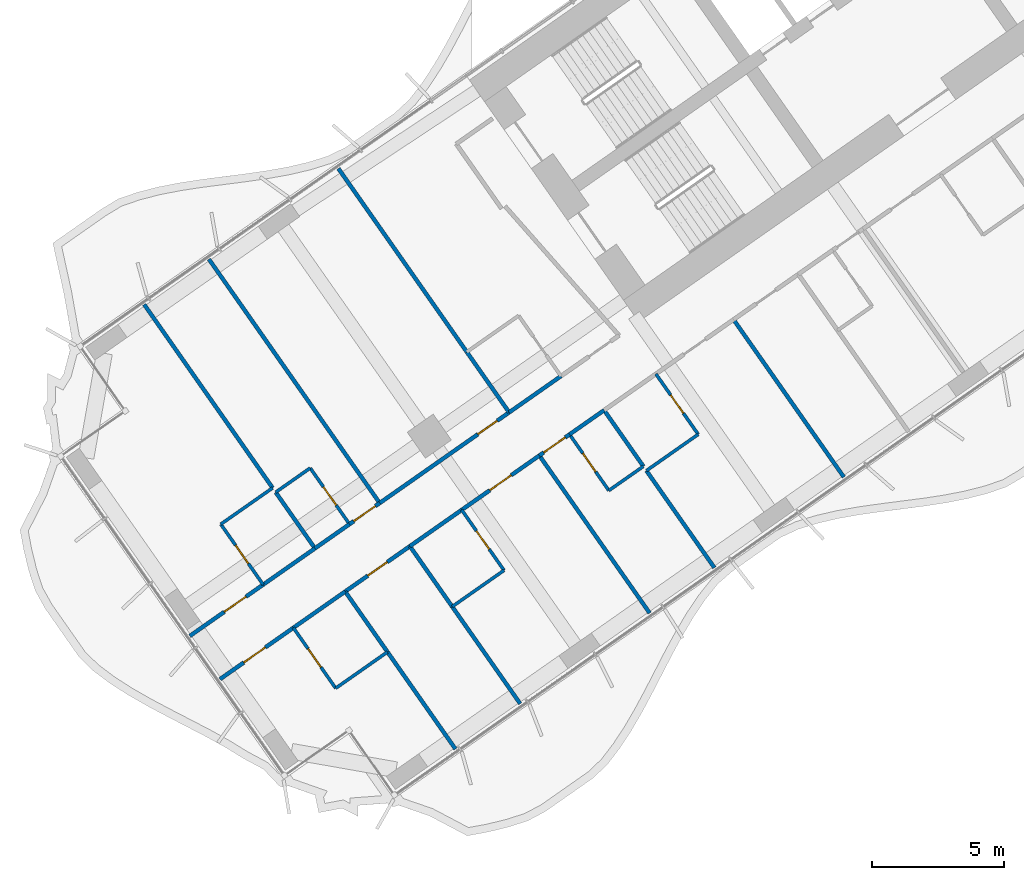
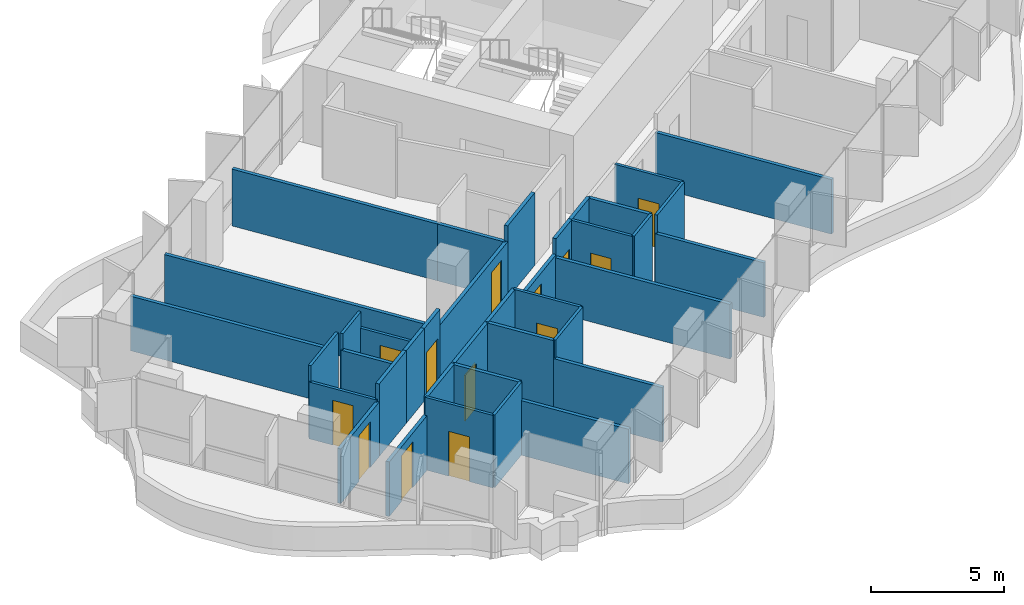
# One storey, part 13 of 25: 38 walls, 13 doors, 13 openings.
"""IFC4 building model written with IfcOpenShell, lengths in metres."""

from ifc_helpers import new_model, si_unit, direction, frame, frame_2d, origin, place, context, subcontext, project, spatial, rectangle, extrude, material, layer, layer_set, type_object, element, fill, save


model = new_model("IFC4")

# Units and contexts
model_context = context("Model", 3, precision=1e-05, world=origin(), true_north=direction((0.0, 1.0)))
body_context = subcontext(model_context, "Body", "Model", "MODEL_VIEW")
ifc_project = project(units=[si_unit("LENGTHUNIT", "METRE"), si_unit("AREAUNIT", "SQUARE_METRE"), si_unit("VOLUMEUNIT", "CUBIC_METRE"), si_unit("PLANEANGLEUNIT", "RADIAN"), si_unit("MASSUNIT", "GRAM", prefix="KILO")], contexts=[model_context])

# Site, building, storey
site_placement = place(None, origin())
site = spatial("IfcSite", under=ifc_project, at=site_placement, CompositionType="ELEMENT")
building_placement = place(site_placement, origin())
building = spatial("IfcBuilding", under=site, at=building_placement, Name="Tel Ilan Convention Tower", CompositionType="ELEMENT")
storey_placement = place(building_placement, frame((0.0, 0.0, 58.10009765625)))
storey = spatial("IfcBuildingStorey", under=building, at=storey_placement, Name="L09", CompositionType="ELEMENT", Elevation=58.10009765625)

# Wall
ifc_material_1 = material(Name="Plasterboard on Steel Studs", Category="steel")
ifc_layer_1 = layer(ifc_material_1, 0.14990234375)
ifc_layer_set_1 = layer_set([ifc_layer_1], Name="Fire-rated Partition 150 EI 60")
wall_type_1 = type_object("IfcWallType", Name="Fire-rated Partition 150 EI 60", PredefinedType="PARTITIONING", material=ifc_layer_set_1)
wall_1_placement = place(storey_placement, frame((-26.460205078125, -19.748291015625, 0.0), z_axis=(0.0, 0.0, 1.0), x_axis=(0.819179439794, 0.573537309527, 0.0)))
element("IfcWall", 1, at=wall_1_placement, inside=storey, type_object=wall_type_1, Name="Partition 029", PredefinedType="PARTITIONING", context=body_context, shape_type="SweptSolid", body=[
    extrude(rectangle(XDim=2.404296875, YDim=0.14990234375, at=frame_2d((1.2021484375, 0.0))), origin(), (0.0, 0.0, 1.0), 3.31982421875),
])

# Wall, opening, door
wall_2_placement = place(storey_placement, frame((-31.375, -23.189697265625, 0.0), z_axis=(0.0, 0.0, 1.0), x_axis=(0.819165052243, 0.573557858619, 0.0)))
wall_2 = element("IfcWall", 2, at=wall_2_placement, inside=storey, type_object=wall_type_1, Name="Partition 030", PredefinedType="PARTITIONING", context=body_context, shape_type="SweptSolid", body=[
    extrude(rectangle(XDim=6.00390625, YDim=0.14990234375, at=frame_2d((3.001953125, 0.0))), origin(), (0.0, 0.0, 1.0), 2.599853515625),
])
opening_1_placement = place(wall_2_placement, frame((4.552001953125, 0.0, 0.0)))
opening_1 = element("IfcOpeningElement", 3, at=opening_1_placement, cuts=wall_2, Name="Opening L08-019", PredefinedType="OPENING", context=body_context, shape_type="SweptSolid", body=[
    extrude(rectangle(XDim=0.89990234375, YDim=2.10009765625, at=frame_2d((0.449951171875, 1.050048828125))), frame((0.0, 0.0849609375, 0.0), z_axis=(0.0, -1.0, 0.0), x_axis=(1.0, 0.0, 0.0)), (0.0, 0.0, 1.0), 0.169921875),
])
ifc_material_2 = material(Name="Timber Door Leaf in Steel Frame", Category="steel")
door_type_1 = type_object("IfcDoorType", Name="Room Fire Door 900x2100", OperationType="NOTDEFINED", PredefinedType="DOOR", material=ifc_material_2)
door_1_placement = place(opening_1_placement, origin())
door_1 = element("IfcDoor", 4, at=door_1_placement, inside=storey, type_object=door_type_1, Name="Door L08-019", OperationType="SINGLE_SWING_LEFT", OverallHeight=2.10009765625, OverallWidth=0.89990234375, PredefinedType="DOOR", context=body_context, shape_type="SweptSolid", body=[
    extrude(rectangle(XDim=0.89990234375, YDim=2.10009765625, at=frame_2d((0.449951171875, 1.050048828125))), frame((0.0, 0.02490234375, 0.0), z_axis=(0.0, -1.0, 0.0), x_axis=(1.0, 0.0, 0.0)), (0.0, 0.0, 1.0), 0.050048828125),
])
fill(opening_1, door_1)

wall_3_placement = place(storey_placement, frame((-32.52099609375, -23.9921875, 0.0), z_axis=(0.0, 0.0, 1.0), x_axis=(0.819199220913, 0.573509055252, 0.0)))
wall_3 = element("IfcWall", 5, at=wall_3_placement, inside=storey, type_object=wall_type_1, Name="Partition 031", PredefinedType="PARTITIONING", context=body_context, shape_type="SweptSolid", body=[
    extrude(rectangle(XDim=1.403076171875, YDim=0.14990234375, at=frame_2d((0.70166015625, 0.0))), origin(), (0.0, 0.0, 1.0), 3.31982421875),
])
opening_2_placement = place(wall_3_placement, frame((0.200927734375, 0.0, 0.0)))
opening_2 = element("IfcOpeningElement", 6, at=opening_2_placement, cuts=wall_3, Name="Opening L08-021", PredefinedType="OPENING", context=body_context, shape_type="SweptSolid", body=[
    extrude(rectangle(XDim=1.0, YDim=2.10009765625, at=frame_2d((0.5, 1.050048828125))), frame((0.0, 0.0849609375, 0.0), z_axis=(0.0, -1.0, 0.0), x_axis=(1.0, 0.0, 0.0)), (0.0, 0.0, 1.0), 0.169921875),
])
ifc_material_3 = material(Name="Timber Door Leaf in Steel Frame", Category="steel")
door_type_2 = type_object("IfcDoorType", Name="Hotel Room Entrance Fire Door 1000x2100", OperationType="NOTDEFINED", PredefinedType="DOOR", material=ifc_material_3)
door_2_placement = place(opening_2_placement, origin())
door_2 = element("IfcDoor", 7, at=door_2_placement, inside=storey, type_object=door_type_2, Name="Door L08-021", OperationType="SINGLE_SWING_RIGHT", OverallHeight=2.10009765625, OverallWidth=1.0, PredefinedType="DOOR", context=body_context, shape_type="SweptSolid", body=[
    extrude(rectangle(XDim=1.0, YDim=2.10009765625, at=frame_2d((0.5, 1.050048828125))), frame((0.0, 0.02490234375, 0.0), z_axis=(0.0, -1.0, 0.0), x_axis=(1.0, 0.0, 0.0)), (0.0, 0.0, 1.0), 0.050048828125),
])
fill(opening_2, door_2)

# Wall
wall_4_placement = place(storey_placement, frame((-33.83251953125, -24.910400390625, 0.0), z_axis=(0.0, 0.0, 1.0), x_axis=(0.819189013667, 0.573523634986, 0.0)))
element("IfcWall", 8, at=wall_4_placement, inside=storey, type_object=wall_type_1, Name="Partition 032", PredefinedType="PARTITIONING", context=body_context, shape_type="SweptSolid", body=[
    extrude(rectangle(XDim=1.60400390625, YDim=0.14990234375, at=frame_2d((0.802001953125, 0.0))), origin(), (0.0, 0.0, 1.0), 3.31982421875),
])

# Wall, opening, door
wall_5_placement = place(storey_placement, frame((-38.581787109375, -28.236083984375, 0.0), z_axis=(0.0, 0.0, 1.0), x_axis=(0.819154345195, 0.573573150303, 0.0)))
wall_5 = element("IfcWall", 9, at=wall_5_placement, inside=storey, type_object=wall_type_1, Name="Partition 033", PredefinedType="PARTITIONING", context=body_context, shape_type="SweptSolid", body=[
    extrude(rectangle(XDim=3.40087890625, YDim=0.14990234375, at=frame_2d((1.700439453125, 0.0))), origin(), (0.0, 0.0, 1.0), 2.5),
])
opening_3_placement = place(wall_5_placement, frame((1.60009765625, 0.0, 0.0)))
opening_3 = element("IfcOpeningElement", 10, at=opening_3_placement, cuts=wall_5, Name="Opening L08-023", PredefinedType="OPENING", context=body_context, shape_type="SweptSolid", body=[
    extrude(rectangle(XDim=1.0, YDim=2.10009765625, at=frame_2d((0.5, 1.050048828125))), frame((0.0, 0.0849609375, 0.0), z_axis=(0.0, -1.0, 0.0), x_axis=(1.0, 0.0, 0.0)), (0.0, 0.0, 1.0), 0.169921875),
])
door_3_placement = place(opening_3_placement, origin())
door_3 = element("IfcDoor", 11, at=door_3_placement, inside=storey, type_object=door_type_2, Name="Door L08-023", OperationType="SINGLE_SWING_LEFT", OverallHeight=2.10009765625, OverallWidth=1.0, PredefinedType="DOOR", context=body_context, shape_type="SweptSolid", body=[
    extrude(rectangle(XDim=1.0, YDim=2.10009765625, at=frame_2d((0.5, 1.050048828125))), frame((0.0, 0.02490234375, 0.0), z_axis=(0.0, -1.0, 0.0), x_axis=(1.0, 0.0, 0.0)), (0.0, 0.0, 1.0), 0.050048828125),
])
fill(opening_3, door_3)

# Wall
wall_6_placement = place(storey_placement, frame((-35.79833984375, -26.287109375, 0.0), z_axis=(0.0, 0.0, 1.0), x_axis=(0.819146032251, 0.573585022335, 0.0)))
element("IfcWall", 12, at=wall_6_placement, inside=storey, type_object=wall_type_1, Name="Partition 034", PredefinedType="PARTITIONING", context=body_context, shape_type="SweptSolid", body=[
    extrude(rectangle(XDim=2.404052734375, YDim=0.14990234375, at=frame_2d((1.2021484375, 0.0))), origin(), (0.0, 0.0, 1.0), 3.31982421875),
])

# Wall, opening, door
wall_7_placement = place(storey_placement, frame((-24.163818359375, -20.581787109375, 0.0), z_axis=(0.0, 0.0, 1.0), x_axis=(-0.819060210533, -0.573707566205, 0.0)))
wall_7 = element("IfcWall", 13, at=wall_7_placement, inside=storey, type_object=wall_type_1, Name="Partition 044", PredefinedType="PARTITIONING", context=body_context, shape_type="SweptSolid", body=[
    extrude(rectangle(XDim=1.403076171875, YDim=0.14990234375, at=frame_2d((0.70166015625, 0.0))), origin(), (0.0, 0.0, 1.0), 3.31982421875),
])
opening_4_placement = place(wall_7_placement, frame((0.200927734375, 0.0, 0.0)))
opening_4 = element("IfcOpeningElement", 14, at=opening_4_placement, cuts=wall_7, Name="Opening L08-011", PredefinedType="OPENING", context=body_context, shape_type="SweptSolid", body=[
    extrude(rectangle(XDim=1.0, YDim=2.10009765625, at=frame_2d((0.5, 1.050048828125))), frame((0.0, 0.0849609375, 0.0), z_axis=(0.0, -1.0, 0.0), x_axis=(1.0, 0.0, 0.0)), (0.0, 0.0, 1.0), 0.169921875),
])
door_4_placement = place(opening_4_placement, origin())
door_4 = element("IfcDoor", 15, at=door_4_placement, inside=storey, type_object=door_type_2, Name="Door L08-011", OperationType="SINGLE_SWING_RIGHT", OverallHeight=2.10009765625, OverallWidth=1.0, PredefinedType="DOOR", context=body_context, shape_type="SweptSolid", body=[
    extrude(rectangle(XDim=1.0, YDim=2.10009765625, at=frame_2d((0.5, 1.050048828125))), frame((0.0, 0.02490234375, 0.0), z_axis=(0.0, -1.0, 0.0), x_axis=(1.0, 0.0, 0.0)), (0.0, 0.0, 1.0), 0.050048828125),
])
fill(opening_4, door_4)

# Wall
wall_8_placement = place(storey_placement, frame((-22.852294921875, -19.66357421875, 0.0), z_axis=(0.0, 0.0, 1.0), x_axis=(-0.819138938282, -0.573595153214, 0.0)))
element("IfcWall", 16, at=wall_8_placement, inside=storey, type_object=wall_type_1, Name="Partition 045", PredefinedType="PARTITIONING", context=body_context, shape_type="SweptSolid", body=[
    extrude(rectangle(XDim=1.603759765625, YDim=0.14990234375, at=frame_2d((0.8017578125, 0.0))), origin(), (0.0, 0.0, 1.0), 3.31982421875),
])

# Wall, opening, door
wall_9_placement = place(storey_placement, frame((-25.3095703125, -21.38427734375, 0.0), z_axis=(0.0, 0.0, 1.0), x_axis=(-0.819145961204, -0.573585123798, 0.0)))
wall_9 = element("IfcWall", 17, at=wall_9_placement, inside=storey, type_object=wall_type_1, Name="Partition 046", PredefinedType="PARTITIONING", context=body_context, shape_type="SweptSolid", body=[
    extrude(rectangle(XDim=3.60302734375, YDim=0.14990234375, at=frame_2d((1.801513671875, 0.0))), origin(), (0.0, 0.0, 1.0), 2.599853515625),
])
opening_5_placement = place(wall_9_placement, frame((1.302001953125, 0.0, 0.0)))
opening_5 = element("IfcOpeningElement", 18, at=opening_5_placement, cuts=wall_9, Name="Opening L08-013", PredefinedType="OPENING", context=body_context, shape_type="SweptSolid", body=[
    extrude(rectangle(XDim=1.0, YDim=2.10009765625, at=frame_2d((0.5, 1.050048828125))), frame((0.0, 0.0849609375, 0.0), z_axis=(0.0, -1.0, 0.0), x_axis=(1.0, 0.0, 0.0)), (0.0, 0.0, 1.0), 0.169921875),
])
door_5_placement = place(opening_5_placement, origin())
door_5 = element("IfcDoor", 19, at=door_5_placement, inside=storey, type_object=door_type_2, Name="Door L08-013", OperationType="SINGLE_SWING_LEFT", OverallHeight=2.10009765625, OverallWidth=1.0, PredefinedType="DOOR", context=body_context, shape_type="SweptSolid", body=[
    extrude(rectangle(XDim=1.0, YDim=2.10009765625, at=frame_2d((0.5, 1.050048828125))), frame((0.0, 0.02490234375, 0.0), z_axis=(0.0, -1.0, 0.0), x_axis=(1.0, 0.0, 0.0)), (0.0, 0.0, 1.0), 0.050048828125),
])
fill(opening_5, door_5)

# Wall
wall_10_placement = place(storey_placement, frame((-28.258544921875, -23.44921875, 0.0), z_axis=(0.0, 0.0, 1.0), x_axis=(-0.819146032251, -0.573585022335, 0.0)))
element("IfcWall", 20, at=wall_10_placement, inside=storey, type_object=wall_type_1, Name="Partition 047", PredefinedType="PARTITIONING", context=body_context, shape_type="SweptSolid", body=[
    extrude(rectangle(XDim=2.404052734375, YDim=0.14990234375, at=frame_2d((1.2021484375, 0.0))), origin(), (0.0, 0.0, 1.0), 3.31982421875),
])

# Wall, opening, door
wall_11_placement = place(storey_placement, frame((-30.224609375, -24.82568359375, 0.0), z_axis=(0.0, 0.0, 1.0), x_axis=(-0.819128818764, -0.573609604409, 0.0)))
wall_11 = element("IfcWall", 21, at=wall_11_placement, inside=storey, type_object=wall_type_1, Name="Partition 048", PredefinedType="PARTITIONING", context=body_context, shape_type="SweptSolid", body=[
    extrude(rectangle(XDim=3.004150390625, YDim=0.14990234375, at=frame_2d((1.501953125, 0.0))), origin(), (0.0, 0.0, 1.0), 3.31982421875),
])
opening_6_placement = place(wall_11_placement, frame((1.052001953125, 0.0, 0.0)))
opening_6 = element("IfcOpeningElement", 22, at=opening_6_placement, cuts=wall_11, Name="Opening L08-014", PredefinedType="OPENING", context=body_context, shape_type="SweptSolid", body=[
    extrude(rectangle(XDim=0.89990234375, YDim=2.10009765625, at=frame_2d((0.449951171875, 1.050048828125))), frame((0.0, 0.0849609375, 0.0), z_axis=(0.0, -1.0, 0.0), x_axis=(1.0, 0.0, 0.0)), (0.0, 0.0, 1.0), 0.169921875),
])
door_6_placement = place(opening_6_placement, origin())
door_6 = element("IfcDoor", 23, at=door_6_placement, inside=storey, type_object=door_type_1, Name="Door L08-014", OperationType="SINGLE_SWING_LEFT", OverallHeight=2.10009765625, OverallWidth=0.89990234375, PredefinedType="DOOR", context=body_context, shape_type="SweptSolid", body=[
    extrude(rectangle(XDim=0.89990234375, YDim=2.10009765625, at=frame_2d((0.449951171875, 1.050048828125))), frame((0.0, 0.02490234375, 0.0), z_axis=(0.0, -1.0, 0.0), x_axis=(1.0, 0.0, 0.0)), (0.0, 0.0, 1.0), 0.050048828125),
])
fill(opening_6, door_6)

wall_12_placement = place(storey_placement, frame((-34.648681640625, -27.923583984375, 0.0), z_axis=(0.0, 0.0, 1.0), x_axis=(-0.819144234337, -0.573587589957, 0.0)))
wall_12 = element("IfcWall", 24, at=wall_12_placement, inside=storey, type_object=wall_type_1, Name="Partition 049", PredefinedType="PARTITIONING", context=body_context, shape_type="SweptSolid", body=[
    extrude(rectangle(XDim=3.4013671875, YDim=0.14990234375, at=frame_2d((1.70068359375, 0.0))), origin(), (0.0, 0.0, 1.0), 2.5),
])
opening_7_placement = place(wall_12_placement, frame((1.301025390625, 0.0, 0.0)))
opening_7 = element("IfcOpeningElement", 25, at=opening_7_placement, cuts=wall_12, Name="Opening L08-016", PredefinedType="OPENING", context=body_context, shape_type="SweptSolid", body=[
    extrude(rectangle(XDim=1.0, YDim=2.10009765625, at=frame_2d((0.5, 1.050048828125))), frame((0.0, 0.0849609375, 0.0), z_axis=(0.0, -1.0, 0.0), x_axis=(1.0, 0.0, 0.0)), (0.0, 0.0, 1.0), 0.169921875),
])
door_7_placement = place(opening_7_placement, origin())
door_7 = element("IfcDoor", 26, at=door_7_placement, inside=storey, type_object=door_type_2, Name="Door L08-016", OperationType="SINGLE_SWING_RIGHT", OverallHeight=2.10009765625, OverallWidth=1.0, PredefinedType="DOOR", context=body_context, shape_type="SweptSolid", body=[
    extrude(rectangle(XDim=1.0, YDim=2.10009765625, at=frame_2d((0.5, 1.050048828125))), frame((0.0, 0.02490234375, 0.0), z_axis=(0.0, -1.0, 0.0), x_axis=(1.0, 0.0, 0.0)), (0.0, 0.0, 1.0), 0.050048828125),
])
fill(opening_7, door_7)

# Walls
wall_13_placement = place(storey_placement, frame((-32.681884765625, -26.54638671875, 0.0), z_axis=(0.0, 0.0, 1.0), x_axis=(-0.819179439794, -0.573537309527, 0.0)))
element("IfcWall", 27, at=wall_13_placement, inside=storey, type_object=wall_type_1, Name="Partition 050", PredefinedType="PARTITIONING", context=body_context, shape_type="SweptSolid", body=[
    extrude(rectangle(XDim=2.404296875, YDim=0.14990234375, at=frame_2d((1.2021484375, 0.0))), origin(), (0.0, 0.0, 1.0), 3.31982421875),
])
wall_14_placement = place(storey_placement, frame((-28.06494140625, -17.45263671875, 0.0), z_axis=(0.0, 0.0, 1.0), x_axis=(-0.573593433868, 0.819140142237, 0.0)))
element("IfcWall", 28, at=wall_14_placement, inside=storey, type_object=wall_type_1, Name="Partition 107", PredefinedType="PARTITIONING", context=body_context, shape_type="SweptSolid", body=[
    extrude(rectangle(XDim=8.4990234375, YDim=0.14990234375, at=frame_2d((4.24951171875, 0.0))), origin(), (0.0, 0.0, 1.0), 2.599853515625),
])
wall_15_placement = place(storey_placement, frame((-26.45849609375, -19.747314453125, 0.0), z_axis=(0.0, 0.0, 1.0), x_axis=(-0.573550118428, 0.819170471667, 0.0)))
element("IfcWall", 29, at=wall_15_placement, inside=storey, type_object=wall_type_1, Name="Partition 108", PredefinedType="PARTITIONING", context=body_context, shape_type="SweptSolid", body=[
    extrude(rectangle(XDim=2.800048828125, YDim=0.14990234375, at=frame_2d((1.39990234375, 0.0))), origin(), (0.0, 0.0, 1.0), 2.599853515625),
])
wall_16_placement = place(storey_placement, frame((-31.373291015625, -23.188720703125, 0.0), z_axis=(0.0, 0.0, 1.0), x_axis=(-0.573571089604, 0.819155788095, 0.0)))
element("IfcWall", 30, at=wall_16_placement, inside=storey, type_object=wall_type_1, Name="Partition 109", PredefinedType="PARTITIONING", context=body_context, shape_type="SweptSolid", body=[
    extrude(rectangle(XDim=11.300048828125, YDim=0.14990234375, at=frame_2d((5.64990234375, 0.0))), origin(), (0.0, 0.0, 1.0), 2.5),
])
wall_17_placement = place(storey_placement, frame((-35.436279296875, -22.61669921875, 0.0), z_axis=(0.0, 0.0, 1.0), x_axis=(-0.57356256513, 0.819161756848, 0.0)))
element("IfcWall", 31, at=wall_17_placement, inside=storey, type_object=wall_type_1, Name="Partition 112", PredefinedType="PARTITIONING", context=body_context, shape_type="SweptSolid", body=[
    extrude(rectangle(XDim=8.501220703125, YDim=0.14990234375, at=frame_2d((4.25048828125, 0.0))), origin(), (0.0, 0.0, 1.0), 2.5),
])
wall_18_placement = place(storey_placement, frame((-33.830810546875, -24.909423828125, 0.0), z_axis=(0.0, 0.0, 1.0), x_axis=(-0.573537965655, 0.819178980414, 0.0)))
element("IfcWall", 32, at=wall_18_placement, inside=storey, type_object=wall_type_1, Name="Partition 113", PredefinedType="PARTITIONING", context=body_context, shape_type="SweptSolid", body=[
    extrude(rectangle(XDim=2.60009765625, YDim=0.14990234375, at=frame_2d((1.300048828125, 0.0))), origin(), (0.0, 0.0, 1.0), 2.599853515625),
])
wall_19_placement = place(storey_placement, frame((-13.751708984375, -22.203125, 0.0), z_axis=(0.0, 0.0, 1.0), x_axis=(-0.573594765376, 0.819139209862, 0.0)))
element("IfcWall", 33, at=wall_19_placement, inside=storey, type_object=wall_type_1, Name="Partition 127", PredefinedType="PARTITIONING", context=body_context, shape_type="SweptSolid", body=[
    extrude(rectangle(XDim=7.300048828125, YDim=0.14990234375, at=frame_2d((3.64990234375, 0.0))), origin(), (0.0, 0.0, 1.0), 2.5),
])
wall_20_placement = place(storey_placement, frame((-18.666748046875, -25.64453125, 0.0), z_axis=(0.0, 0.0, 1.0), x_axis=(-0.573589807488, 0.819142681555, 0.0)))
element("IfcWall", 34, at=wall_20_placement, inside=storey, type_object=wall_type_1, Name="Partition 130", PredefinedType="PARTITIONING", context=body_context, shape_type="SweptSolid", body=[
    extrude(rectangle(XDim=4.4990234375, YDim=0.14990234375, at=frame_2d((2.24951171875, 0.0))), origin(), (0.0, 0.0, 1.0), 2.5),
])
wall_21_placement = place(storey_placement, frame((-21.361328125, -21.796142578125, 0.0), z_axis=(0.0, 0.0, 1.0), x_axis=(-0.573588285102, 0.819143747577, 0.0)))
element("IfcWall", 35, at=wall_21_placement, inside=storey, type_object=wall_type_1, Name="Partition 131", PredefinedType="PARTITIONING", context=body_context, shape_type="SweptSolid", body=[
    extrude(rectangle(XDim=2.601806640625, YDim=0.14990234375, at=frame_2d((1.30078125, 0.0))), origin(), (0.0, 0.0, 1.0), 3.31982421875),
])
wall_22_placement = place(storey_placement, frame((-21.124267578125, -27.365234375, 0.0), z_axis=(0.0, 0.0, 1.0), x_axis=(-0.573572324301, 0.819154923562, 0.0)))
element("IfcWall", 36, at=wall_22_placement, inside=storey, type_object=wall_type_1, Name="Partition 134", PredefinedType="PARTITIONING", context=body_context, shape_type="SweptSolid", body=[
    extrude(rectangle(XDim=7.2998046875, YDim=0.14990234375, at=frame_2d((3.64990234375, 0.0))), origin(), (0.0, 0.0, 1.0), 2.5),
])
wall_23_placement = place(storey_placement, frame((-26.0390625, -30.806640625, 0.0), z_axis=(0.0, 0.0, 1.0), x_axis=(-0.573589807488, 0.819142681555, 0.0)))
element("IfcWall", 37, at=wall_23_placement, inside=storey, type_object=wall_type_1, Name="Partition 137", PredefinedType="PARTITIONING", context=body_context, shape_type="SweptSolid", body=[
    extrude(rectangle(XDim=4.4990234375, YDim=0.14990234375, at=frame_2d((2.24951171875, 0.0))), origin(), (0.0, 0.0, 1.0), 2.5),
])
wall_24_placement = place(storey_placement, frame((-28.6201171875, -27.12060546875, 0.0), z_axis=(0.0, 0.0, 1.0), x_axis=(-0.573608623498, 0.819129505664, 0.0)))
element("IfcWall", 38, at=wall_24_placement, inside=storey, type_object=wall_type_1, Name="Partition 138", PredefinedType="PARTITIONING", context=body_context, shape_type="SweptSolid", body=[
    extrude(rectangle(XDim=2.800048828125, YDim=0.14990234375, at=frame_2d((1.39990234375, 0.0))), origin(), (0.0, 0.0, 1.0), 3.31982421875),
])
wall_25_placement = place(storey_placement, frame((-28.49658203125, -32.527587890625, 0.0), z_axis=(0.0, 0.0, 1.0), x_axis=(-0.573556991349, 0.819165659482, 0.0)))
element("IfcWall", 39, at=wall_25_placement, inside=storey, type_object=wall_type_1, Name="Partition 139", PredefinedType="PARTITIONING", context=body_context, shape_type="SweptSolid", body=[
    extrude(rectangle(XDim=4.5009765625, YDim=0.14990234375, at=frame_2d((2.25048828125, 0.0))), origin(), (0.0, 0.0, 1.0), 2.5),
])
wall_26_placement = place(storey_placement, frame((-31.076416015625, -28.843017578125, 0.0), z_axis=(0.0, 0.0, 1.0), x_axis=(-0.573555899632, 0.819166423871, 0.0)))
element("IfcWall", 40, at=wall_26_placement, inside=storey, type_object=wall_type_1, Name="Partition 140", PredefinedType="PARTITIONING", context=body_context, shape_type="SweptSolid", body=[
    extrude(rectangle(XDim=2.80224609375, YDim=0.14990234375, at=frame_2d((1.401123046875, 0.0))), origin(), (0.0, 0.0, 1.0), 3.31982421875),
])

# Wall, opening, door
ifc_material_4 = material(Name="Plasterboard on Steel Studs", Category="steel")
ifc_layer_2 = layer(ifc_material_4, 0.1201171875)
ifc_layer_set_2 = layer_set([ifc_layer_2], Name="Moisture-resistant Partition 120")
wall_type_2 = type_object("IfcWallType", Name="Moisture-resistant Partition 120", PredefinedType="PARTITIONING", material=ifc_layer_set_2)
wall_27_placement = place(storey_placement, frame((-32.519287109375, -23.9912109375, 0.0), z_axis=(0.0, 0.0, 1.0), x_axis=(-0.573537965655, 0.819178980414, 0.0)))
wall_27 = element("IfcWall", 41, at=wall_27_placement, inside=storey, type_object=wall_type_2, Name="Partition 110", PredefinedType="PARTITIONING", context=body_context, shape_type="SweptSolid", body=[
    extrude(rectangle(XDim=2.60009765625, YDim=0.1201171875, at=frame_2d((1.300048828125, 0.0))), origin(), (0.0, 0.0, 1.0), 2.599853515625),
])
opening_8_placement = place(wall_27_placement, frame((0.875, 0.0, 0.0)))
opening_8 = element("IfcOpeningElement", 42, at=opening_8_placement, cuts=wall_27, Name="Opening L08-020", PredefinedType="OPENING", context=body_context, shape_type="SweptSolid", body=[
    extrude(rectangle(XDim=0.85009765625, YDim=2.050048828125, at=frame_2d((0.425048828125, 1.02490234375))), frame((0.0, 0.070068359375, 0.0), z_axis=(0.0, -1.0, 0.0), x_axis=(1.0, 0.0, 0.0)), (0.0, 0.0, 1.0), 0.14013671875),
])
ifc_material_5 = material(Name="Timber Door Leaf in Steel Frame", Category="steel")
door_type_3 = type_object("IfcDoorType", Name="Bathroom Timber Door 850x2050", OperationType="NOTDEFINED", PredefinedType="DOOR", material=ifc_material_5)
door_8_placement = place(opening_8_placement, origin())
door_8 = element("IfcDoor", 43, at=door_8_placement, inside=storey, type_object=door_type_3, Name="Door L08-020", OperationType="SINGLE_SWING_LEFT", OverallHeight=2.050048828125, OverallWidth=0.85009765625, PredefinedType="DOOR", context=body_context, shape_type="SweptSolid", body=[
    extrude(rectangle(XDim=0.85009765625, YDim=2.050048828125, at=frame_2d((0.425048828125, 1.02490234375))), frame((0.0, 0.02490234375, 0.0), z_axis=(0.0, -1.0, 0.0), x_axis=(1.0, 0.0, 0.0)), (0.0, 0.0, 1.0), 0.050048828125),
])
fill(opening_8, door_8)

# Walls
wall_28_placement = place(storey_placement, frame((-34.011962890625, -21.861083984375, 0.0), z_axis=(0.0, 0.0, 1.0), x_axis=(-0.81918174131, -0.573534022273, 0.0)))
element("IfcWall", 44, at=wall_28_placement, inside=storey, type_object=wall_type_2, Name="Partition 111", PredefinedType="PARTITIONING", context=body_context, shape_type="SweptSolid", body=[
    extrude(rectangle(XDim=1.60009765625, YDim=0.1201171875, at=frame_2d((0.800048828125, 0.0))), origin(), (0.0, 0.0, 1.0), 3.31982421875),
])
wall_29_placement = place(storey_placement, frame((-35.4375, -22.614990234375, 0.0), z_axis=(0.0, 0.0, 1.0), x_axis=(-0.819155442668, -0.573571582932, 0.0)))
element("IfcWall", 45, at=wall_29_placement, inside=storey, type_object=wall_type_2, Name="Partition 114", PredefinedType="PARTITIONING", context=body_context, shape_type="SweptSolid", body=[
    extrude(rectangle(XDim=2.39990234375, YDim=0.1201171875, at=frame_2d((1.199951171875, 0.0))), origin(), (0.0, 0.0, 1.0), 3.31982421875),
])

# Wall, opening, door
wall_30_placement = place(storey_placement, frame((-37.403564453125, -23.992919921875, 0.0), z_axis=(0.0, 0.0, 1.0), x_axis=(0.573550118428, -0.819170471667, 0.0)))
wall_30 = element("IfcWall", 46, at=wall_30_placement, inside=storey, type_object=wall_type_2, Name="Partition 115", PredefinedType="PARTITIONING", context=body_context, shape_type="SweptSolid", body=[
    extrude(rectangle(XDim=2.800048828125, YDim=0.1201171875, at=frame_2d((1.39990234375, 0.0))), origin(), (0.0, 0.0, 1.0), 2.599853515625),
])
opening_9_placement = place(wall_30_placement, frame((0.97509765625, 0.0, 0.0)))
opening_9 = element("IfcOpeningElement", 47, at=opening_9_placement, cuts=wall_30, Name="Opening L08-022", PredefinedType="OPENING", context=body_context, shape_type="SweptSolid", body=[
    extrude(rectangle(XDim=0.85009765625, YDim=2.050048828125, at=frame_2d((0.425048828125, 1.02490234375))), frame((0.0, 0.070068359375, 0.0), z_axis=(0.0, -1.0, 0.0), x_axis=(1.0, 0.0, 0.0)), (0.0, 0.0, 1.0), 0.14013671875),
])
door_9_placement = place(opening_9_placement, origin())
door_9 = element("IfcDoor", 48, at=door_9_placement, inside=storey, type_object=door_type_3, Name="Door L08-022", OperationType="SINGLE_SWING_RIGHT", OverallHeight=2.050048828125, OverallWidth=0.85009765625, PredefinedType="DOOR", context=body_context, shape_type="SweptSolid", body=[
    extrude(rectangle(XDim=0.85009765625, YDim=2.050048828125, at=frame_2d((0.425048828125, 1.02490234375))), frame((0.0, 0.02490234375, 0.0), z_axis=(0.0, -1.0, 0.0), x_axis=(1.0, 0.0, 0.0)), (0.0, 0.0, 1.0), 0.050048828125),
])
fill(opening_9, door_9)

# Wall
wall_31_placement = place(storey_placement, frame((-21.247314453125, -21.959228515625, 0.0), z_axis=(0.0, 0.0, 1.0), x_axis=(0.819141114317, 0.573592045652, 0.0)))
element("IfcWall", 49, at=wall_31_placement, inside=storey, type_object=wall_type_2, Name="Partition 128", PredefinedType="PARTITIONING", context=body_context, shape_type="SweptSolid", body=[
    extrude(rectangle(XDim=2.400146484375, YDim=0.1201171875, at=frame_2d((1.2001953125, 0.0))), origin(), (0.0, 0.0, 1.0), 3.31982421875),
])

# Wall, opening, door
wall_32_placement = place(storey_placement, frame((-19.281005859375, -20.581298828125, 0.0), z_axis=(0.0, 0.0, 1.0), x_axis=(-0.573550118428, 0.819170471667, 0.0)))
wall_32 = element("IfcWall", 50, at=wall_32_placement, inside=storey, type_object=wall_type_2, Name="Partition 129", PredefinedType="PARTITIONING", context=body_context, shape_type="SweptSolid", body=[
    extrude(rectangle(XDim=2.800048828125, YDim=0.1201171875, at=frame_2d((1.39990234375, 0.0))), origin(), (0.0, 0.0, 1.0), 3.31982421875),
])
opening_10_placement = place(wall_32_placement, frame((0.97509765625, 0.0, 0.0)))
opening_10 = element("IfcOpeningElement", 51, at=opening_10_placement, cuts=wall_32, Name="Opening L08-008", PredefinedType="OPENING", context=body_context, shape_type="SweptSolid", body=[
    extrude(rectangle(XDim=0.85009765625, YDim=2.050048828125, at=frame_2d((0.425048828125, 1.02490234375))), frame((0.0, 0.070068359375, 0.0), z_axis=(0.0, -1.0, 0.0), x_axis=(1.0, 0.0, 0.0)), (0.0, 0.0, 1.0), 0.14013671875),
])
door_10_placement = place(opening_10_placement, origin())
door_10 = element("IfcDoor", 52, at=door_10_placement, inside=storey, type_object=door_type_3, Name="Door L08-008", OperationType="SINGLE_SWING_RIGHT", OverallHeight=2.050048828125, OverallWidth=0.85009765625, PredefinedType="DOOR", context=body_context, shape_type="SweptSolid", body=[
    extrude(rectangle(XDim=0.85009765625, YDim=2.050048828125, at=frame_2d((0.425048828125, 1.02490234375))), frame((0.0, 0.02490234375, 0.0), z_axis=(0.0, -1.0, 0.0), x_axis=(1.0, 0.0, 0.0)), (0.0, 0.0, 1.0), 0.050048828125),
])
fill(opening_10, door_10)

wall_33_placement = place(storey_placement, frame((-24.165283203125, -20.5830078125, 0.0), z_axis=(0.0, 0.0, 1.0), x_axis=(0.573537965655, -0.819178980414, 0.0)))
wall_33 = element("IfcWall", 53, at=wall_33_placement, inside=storey, type_object=wall_type_2, Name="Partition 132", PredefinedType="PARTITIONING", context=body_context, shape_type="SweptSolid", body=[
    extrude(rectangle(XDim=2.60009765625, YDim=0.1201171875, at=frame_2d((1.300048828125, 0.0))), origin(), (0.0, 0.0, 1.0), 3.31982421875),
])
opening_11_placement = place(wall_33_placement, frame((0.875, 0.0, 0.0)))
opening_11 = element("IfcOpeningElement", 54, at=opening_11_placement, cuts=wall_33, Name="Opening L08-010", PredefinedType="OPENING", context=body_context, shape_type="SweptSolid", body=[
    extrude(rectangle(XDim=0.85009765625, YDim=2.050048828125, at=frame_2d((0.425048828125, 1.02490234375))), frame((0.0, 0.070068359375, 0.0), z_axis=(0.0, -1.0, 0.0), x_axis=(1.0, 0.0, 0.0)), (0.0, 0.0, 1.0), 0.14013671875),
])
door_11_placement = place(opening_11_placement, origin())
door_11 = element("IfcDoor", 55, at=door_11_placement, inside=storey, type_object=door_type_3, Name="Door L08-010", OperationType="SINGLE_SWING_LEFT", OverallHeight=2.050048828125, OverallWidth=0.85009765625, PredefinedType="DOOR", context=body_context, shape_type="SweptSolid", body=[
    extrude(rectangle(XDim=0.85009765625, YDim=2.050048828125, at=frame_2d((0.425048828125, 1.02490234375))), frame((0.0, 0.02490234375, 0.0), z_axis=(0.0, -1.0, 0.0), x_axis=(1.0, 0.0, 0.0)), (0.0, 0.0, 1.0), 0.050048828125),
])
fill(opening_11, door_11)

# Walls
wall_34_placement = place(storey_placement, frame((-22.672607421875, -22.713134765625, 0.0), z_axis=(0.0, 0.0, 1.0), x_axis=(0.819131543282, 0.57360571371, 0.0)))
element("IfcWall", 56, at=wall_34_placement, inside=storey, type_object=wall_type_2, Name="Partition 133", PredefinedType="PARTITIONING", context=body_context, shape_type="SweptSolid", body=[
    extrude(rectangle(XDim=1.599853515625, YDim=0.1201171875, at=frame_2d((0.7998046875, 0.0))), origin(), (0.0, 0.0, 1.0), 3.31982421875),
])
wall_35_placement = place(storey_placement, frame((-28.61962890625, -27.121337890625, 0.0), z_axis=(0.0, 0.0, 1.0), x_axis=(0.819188907105, 0.573523787192, 0.0)))
element("IfcWall", 57, at=wall_35_placement, inside=storey, type_object=wall_type_2, Name="Partition 135", PredefinedType="PARTITIONING", context=body_context, shape_type="SweptSolid", body=[
    extrude(rectangle(XDim=2.39990234375, YDim=0.1201171875, at=frame_2d((1.199951171875, 0.0))), origin(), (0.0, 0.0, 1.0), 3.31982421875),
])

# Wall, opening, door
wall_36_placement = place(storey_placement, frame((-26.6533203125, -25.743408203125, 0.0), z_axis=(0.0, 0.0, 1.0), x_axis=(-0.573608623498, 0.819129505664, 0.0)))
wall_36 = element("IfcWall", 58, at=wall_36_placement, inside=storey, type_object=wall_type_2, Name="Partition 136", PredefinedType="PARTITIONING", context=body_context, shape_type="SweptSolid", body=[
    extrude(rectangle(XDim=2.800048828125, YDim=0.1201171875, at=frame_2d((1.39990234375, 0.0))), origin(), (0.0, 0.0, 1.0), 3.31982421875),
])
opening_12_placement = place(wall_36_placement, frame((0.97509765625, 0.0, 0.0)))
opening_12 = element("IfcOpeningElement", 59, at=opening_12_placement, cuts=wall_36, Name="Opening L08-012", PredefinedType="OPENING", context=body_context, shape_type="SweptSolid", body=[
    extrude(rectangle(XDim=0.85009765625, YDim=2.050048828125, at=frame_2d((0.425048828125, 1.02490234375))), frame((0.0, 0.070068359375, 0.0), z_axis=(0.0, -1.0, 0.0), x_axis=(1.0, 0.0, 0.0)), (0.0, 0.0, 1.0), 0.14013671875),
])
door_12_placement = place(opening_12_placement, origin())
door_12 = element("IfcDoor", 60, at=door_12_placement, inside=storey, type_object=door_type_3, Name="Door L08-012", OperationType="SINGLE_SWING_RIGHT", OverallHeight=2.050048828125, OverallWidth=0.85009765625, PredefinedType="DOOR", context=body_context, shape_type="SweptSolid", body=[
    extrude(rectangle(XDim=0.85009765625, YDim=2.050048828125, at=frame_2d((0.425048828125, 1.02490234375))), frame((0.0, 0.02490234375, 0.0), z_axis=(0.0, -1.0, 0.0), x_axis=(1.0, 0.0, 0.0)), (0.0, 0.0, 1.0), 0.050048828125),
])
fill(opening_12, door_12)

wall_37_placement = place(storey_placement, frame((-34.650390625, -27.9248046875, 0.0), z_axis=(0.0, 0.0, 1.0), x_axis=(0.573550118428, -0.819170471667, 0.0)))
wall_37 = element("IfcWall", 61, at=wall_37_placement, inside=storey, type_object=wall_type_2, Name="Partition 141", PredefinedType="PARTITIONING", context=body_context, shape_type="SweptSolid", body=[
    extrude(rectangle(XDim=2.800048828125, YDim=0.1201171875, at=frame_2d((1.39990234375, 0.0))), origin(), (0.0, 0.0, 1.0), 3.31982421875),
])
opening_13_placement = place(wall_37_placement, frame((0.97509765625, 0.0, 0.0)))
opening_13 = element("IfcOpeningElement", 62, at=opening_13_placement, cuts=wall_37, Name="Opening L08-015", PredefinedType="OPENING", context=body_context, shape_type="SweptSolid", body=[
    extrude(rectangle(XDim=0.85009765625, YDim=2.050048828125, at=frame_2d((0.425048828125, 1.02490234375))), frame((0.0, 0.070068359375, 0.0), z_axis=(0.0, -1.0, 0.0), x_axis=(1.0, 0.0, 0.0)), (0.0, 0.0, 1.0), 0.14013671875),
])
door_13_placement = place(opening_13_placement, origin())
door_13 = element("IfcDoor", 63, at=door_13_placement, inside=storey, type_object=door_type_3, Name="Door L08-015", OperationType="SINGLE_SWING_LEFT", OverallHeight=2.050048828125, OverallWidth=0.85009765625, PredefinedType="DOOR", context=body_context, shape_type="SweptSolid", body=[
    extrude(rectangle(XDim=0.85009765625, YDim=2.050048828125, at=frame_2d((0.425048828125, 1.02490234375))), frame((0.0, 0.02490234375, 0.0), z_axis=(0.0, -1.0, 0.0), x_axis=(1.0, 0.0, 0.0)), (0.0, 0.0, 1.0), 0.050048828125),
])
fill(opening_13, door_13)

# Wall
wall_38_placement = place(storey_placement, frame((-33.04296875, -30.21875, 0.0), z_axis=(0.0, 0.0, 1.0), x_axis=(0.819107643868, 0.573639841501, 0.0)))
element("IfcWall", 64, at=wall_38_placement, inside=storey, type_object=wall_type_2, Name="Partition 142", PredefinedType="PARTITIONING", context=body_context, shape_type="SweptSolid", body=[
    extrude(rectangle(XDim=2.39990234375, YDim=0.1201171875, at=frame_2d((1.199951171875, 0.0))), origin(), (0.0, 0.0, 1.0), 3.31982421875),
])

save(model, "model.ifc")
